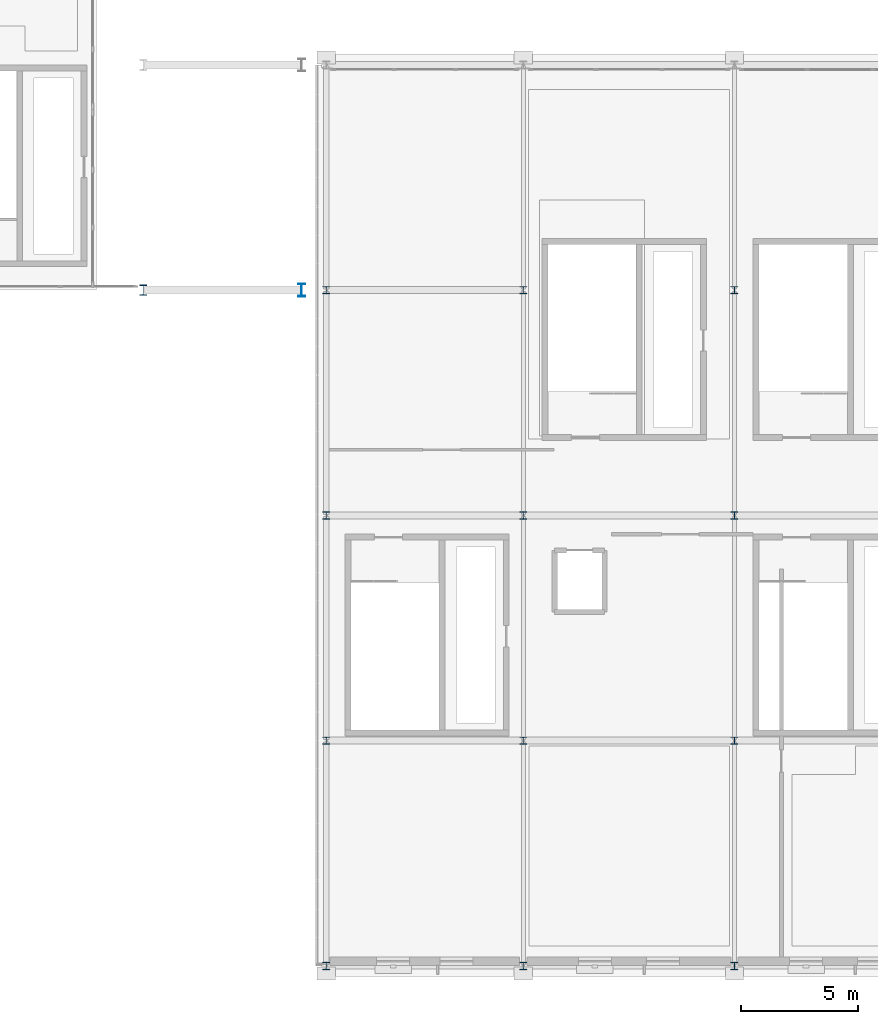
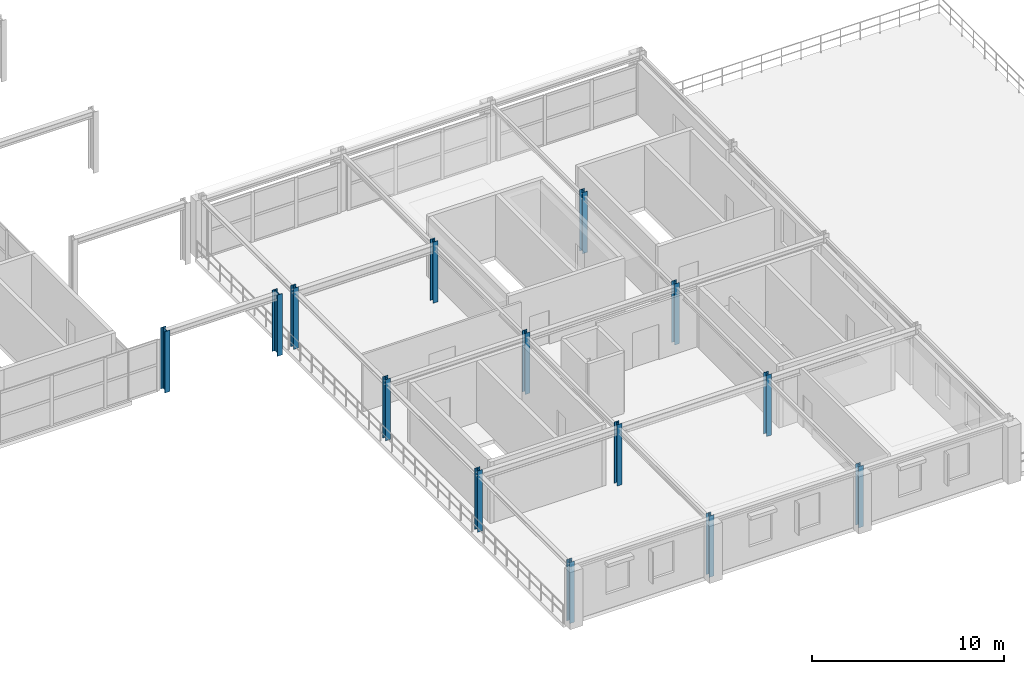
# One storey, part 2 of 52: 14 columns.
"""IFC4 building model written with IfcOpenShell, lengths in metres."""

from ifc_helpers import new_model, si_unit, direction, frame, origin, origin_2d, place, context, subcontext, project, spatial, i_section, extrude, material, material_profile, profile_set, type_object, element, save


model = new_model("IFC4")

# Units and contexts
model_context = context("Model", 3, precision=1e-05, world=origin(), true_north=direction((0.0, 1.0)))
body_context = subcontext(model_context, "Body", "Model", "MODEL_VIEW")
ifc_project = project(units=[si_unit("LENGTHUNIT", "METRE"), si_unit("AREAUNIT", "SQUARE_METRE"), si_unit("VOLUMEUNIT", "CUBIC_METRE"), si_unit("PLANEANGLEUNIT", "RADIAN"), si_unit("MASSUNIT", "GRAM", prefix="KILO")], contexts=[model_context])

# Site, building, storey
site_placement = place(None, origin())
site = spatial("IfcSite", under=ifc_project, at=site_placement, CompositionType="ELEMENT")
building_placement = place(site_placement, origin())
building = spatial("IfcBuilding", under=site, at=building_placement, Name="Myrtia Square Station", CompositionType="ELEMENT")
storey_placement = place(building_placement, frame((0.0, 0.0, 15.0)))
storey = spatial("IfcBuildingStorey", under=building, at=storey_placement, Name="L03", CompositionType="ELEMENT", Elevation=15.0)

# Columns
ifc_material = material(Name="Steel S355", Category="steel")
ifc_material_profile_1 = material_profile(ifc_material, i_section(OverallWidth=0.300048828125, OverallDepth=0.31005859375, WebThickness=0.009033203125, FlangeThickness=0.015380859375, FilletRadius=0.027099609375, at=origin_2d()), Name="HEA 320")
ifc_profile_set_1 = profile_set([ifc_material_profile_1], Name="Steel S355")
column_type_1 = type_object("IfcColumnType", Name="COL-HEA320", PredefinedType="COLUMN", material=ifc_profile_set_1)
for number, where, z_axis, x_axis, name in (
    (1, (117.60009765625, 0.0, 0.0), (0.0, 0.0, 1.0), (1.0, 0.0, 0.0), "Column L03-0563"),
    (2, (117.60009765625, 9.60009765625, 0.0), (0.0, 0.0, 1.0), (1.0, 0.0, 0.0), "Column L03-0568"),
    (3, (117.60009765625, 19.199951171875, 0.0), (0.0, 0.0, 1.0), (1.0, 0.0, 0.0), "Column L03-0573"),
    (4, (117.60009765625, 28.800048828125, 0.0), (0.0, 0.0, 1.0), (1.0, 0.0, 0.0), "Column L03-0578"),
    (5, (126.0, 0.0, 0.0), (0.0, 0.0, 1.0), (1.0, 0.0, 0.0), "Column L03-0588"),
    (6, (126.0, 9.60009765625, 0.0), (0.0, 0.0, 1.0), (1.0, 0.0, 0.0), "Column L03-0593"),
    (7, (126.0, 19.199951171875, 0.0), (0.0, 0.0, 1.0), (1.0, 0.0, 0.0), "Column L03-0598"),
    (8, (126.0, 28.800048828125, 0.0), (0.0, 0.0, 1.0), (1.0, 0.0, 0.0), "Column L03-0603"),
    (9, (135.0, 0.0, 0.0), (0.0, 0.0, 1.0), (1.0, 0.0, 0.0), "Column L03-0613"),
    (10, (135.0, 9.60009765625, 0.0), (0.0, 0.0, 1.0), (1.0, 0.0, 0.0), "Column L03-0618"),
    (11, (135.0, 19.199951171875, 0.0), (0.0, 0.0, 1.0), (1.0, 0.0, 0.0), "Column L03-0623"),
    (12, (135.0, 28.800048828125, 0.0), (0.0, 0.0, 1.0), (1.0, 0.0, 0.0), "Column L03-0628"),
):
    element("IfcColumn", number, at=place(storey_placement, frame(where, z_axis=z_axis, x_axis=x_axis)), inside=storey, type_object=column_type_1, Name=name, PredefinedType="COLUMN", context=body_context, shape_type="SweptSolid", body=[
        extrude(i_section(OverallWidth=0.300048828125, OverallDepth=0.31005859375, WebThickness=0.009033203125, FlangeThickness=0.015380859375, FilletRadius=0.027099609375, at=origin_2d()), origin(), (0.0, 0.0, 1.0), 3.89990234375),
    ])
ifc_material_profile_2 = material_profile(ifc_material, i_section(OverallWidth=0.300048828125, OverallDepth=0.5400390625, WebThickness=0.012451171875, FlangeThickness=0.02392578125, FilletRadius=0.027099609375, at=origin_2d()), Name="HEA 550")
ifc_profile_set_2 = profile_set([ifc_material_profile_2], Name="Steel S355")
column_type_2 = type_object("IfcColumnType", Name="COL-HEA550", PredefinedType="COLUMN", material=ifc_profile_set_2)
column_1_placement = place(storey_placement, frame((116.550048828125, 28.800048828125, 0.0), z_axis=(0.0, 0.0, 1.0), x_axis=(1.0, 0.0, 0.0)))
element("IfcColumn", 13, at=column_1_placement, inside=storey, type_object=column_type_2, Name="Column L03-0250", PredefinedType="COLUMN", context=body_context, shape_type="SweptSolid", body=[
    extrude(i_section(OverallWidth=0.300048828125, OverallDepth=0.5400390625, WebThickness=0.012451171875, FlangeThickness=0.02392578125, FilletRadius=0.027099609375, at=origin_2d()), origin(), (0.0, 0.0, 1.0), 3.89990234375),
])
ifc_material_profile_3 = material_profile(ifc_material, i_section(OverallWidth=0.300048828125, OverallDepth=0.449951171875, WebThickness=0.013916015625, FlangeThickness=0.02587890625, FilletRadius=0.027099609375, at=origin_2d()), Name="HEB 450")
ifc_profile_set_3 = profile_set([ifc_material_profile_3], Name="Steel S355")
column_type_3 = type_object("IfcColumnType", Name="COL-HEB450", PredefinedType="COLUMN", material=ifc_profile_set_3)
column_2_placement = place(storey_placement, frame((109.800048828125, 28.800048828125, 0.0), z_axis=(0.0, 0.0, 1.0), x_axis=(1.0, 0.0, 0.0)))
element("IfcColumn", 14, at=column_2_placement, inside=storey, type_object=column_type_3, Name="Column L03-0261", PredefinedType="COLUMN", context=body_context, shape_type="SweptSolid", body=[
    extrude(i_section(OverallWidth=0.300048828125, OverallDepth=0.449951171875, WebThickness=0.013916015625, FlangeThickness=0.02587890625, FilletRadius=0.027099609375, at=origin_2d()), origin(), (0.0, 0.0, 1.0), 3.89990234375),
])

save(model, "model.ifc")
